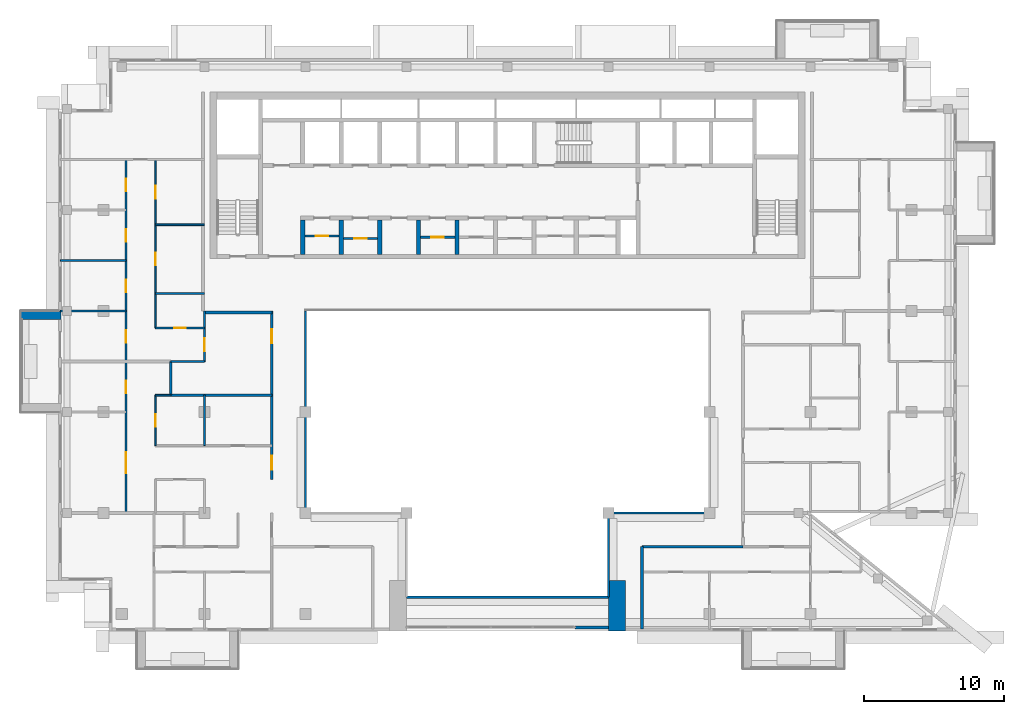
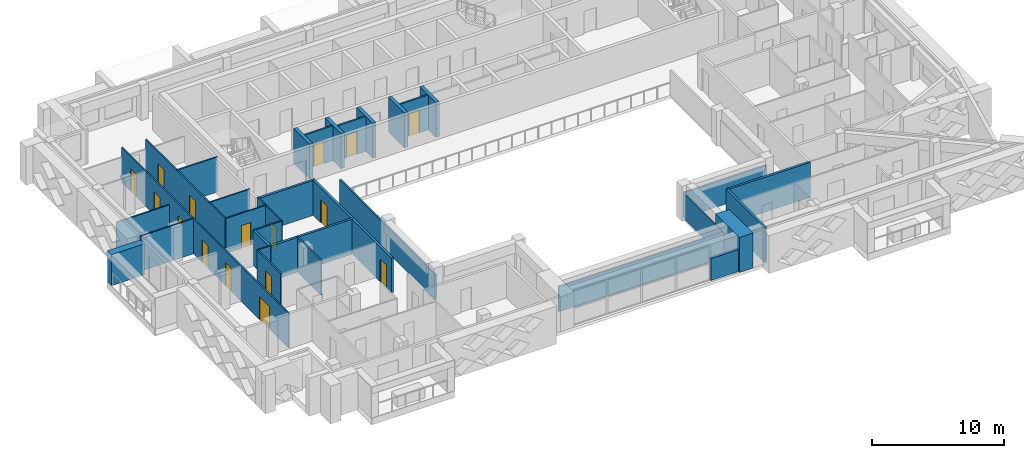
# One storey, part 7 of 19: 33 walls, 16 doors, 16 openings.
"""IFC4 building model written with IfcOpenShell, lengths in metres."""

import ifcopenshell
import ifcopenshell.guid

model = None  # the IFC model being written
_history = None  # IfcOwnerHistory: only IFC2X3 demands one
_inside = {}  # id of a spatial element -> (the spatial element, [elements in it])
_under = {}  # id of a project, library or spatial element -> (it, [spatial elements below it])
_declared = {}  # id of a project -> (the project, [libraries it declares])
_typed = {}  # id of a type object -> (the type object, [elements of that type])
_made_of = {}  # id of a material, layer set ... -> (it, [elements and type objects made of it])


def new_model(schema):
    """Start an empty IFC model of exactly this schema.

    Asked for "IFC4X3", IfcOpenShell would pick the latest addendum, in which some entities
    have other attributes; the version numbers below select the first issue.
    IFC2X3 requires an IfcOwnerHistory on every rooted entity: one is made here for all.
    """
    global model, _history
    if schema == "IFC4X3":
        model = ifcopenshell.file(schema_version=(4, 3, 0, 0))
    else:
        model = ifcopenshell.file(schema=schema)
    _inside.clear()
    _under.clear()
    _declared.clear()
    _typed.clear()
    _made_of.clear()
    _history = None
    if model.schema == "IFC2X3":
        org = make("IfcOrganization", Name="unknown")
        user = make(
            "IfcPersonAndOrganization",
            ThePerson=make("IfcPerson", FamilyName="unknown"),
            TheOrganization=org,
        )
        app = make(
            "IfcApplication",
            ApplicationDeveloper=org,
            Version="unknown",
            ApplicationFullName="unknown",
            ApplicationIdentifier="unknown",
        )
        _history = make(
            "IfcOwnerHistory",
            OwningUser=user,
            OwningApplication=app,
            ChangeAction="ADDED",
            CreationDate=0,
        )
    return model


def make(cls, **values):
    """One entity of the class cls with the attributes given. An attribute that is None is left unset."""
    return model.create_entity(
        cls, **{name: value for name, value in values.items() if value is not None}
    )


def rooted(cls, **values):
    """An entity with a GlobalId (a new one), such as an element, a storey or a relation."""
    return make(cls, GlobalId=ifcopenshell.guid.new(), OwnerHistory=_history, **values)


def si_unit(unit_type, name, prefix=None):
    """IfcSIUnit, for example si_unit("LENGTHUNIT", "METRE", prefix="MILLI")."""
    return make("IfcSIUnit", UnitType=unit_type, Prefix=prefix, Name=name)


def assignment(units):
    """IfcUnitAssignment: the units of a project."""
    return None if units is None else make("IfcUnitAssignment", Units=units)


def point(xyz):
    """IfcCartesianPoint."""
    return None if xyz is None else make("IfcCartesianPoint", Coordinates=xyz)


def direction(xyz):
    """IfcDirection."""
    return None if xyz is None else make("IfcDirection", DirectionRatios=xyz)


def frame(location, z_axis=None, x_axis=None):
    """IfcAxis2Placement3D, a coordinate frame: its origin and axes. An axis left out is left unset."""
    return make(
        "IfcAxis2Placement3D",
        Location=point(location),
        Axis=direction(z_axis),
        RefDirection=direction(x_axis),
    )


def frame_2d(location, x_axis=None):
    """IfcAxis2Placement2D, a coordinate frame in the plane: its origin and x axis."""
    return make(
        "IfcAxis2Placement2D", Location=point(location), RefDirection=direction(x_axis)
    )


def origin():
    """The frame at (0, 0, 0) with its axes left unset."""
    return frame((0.0, 0.0, 0.0))


def place(relative_to, where):
    """IfcLocalPlacement: puts the frame where relative to a parent placement (None: the world)."""
    return make(
        "IfcLocalPlacement", PlacementRelTo=relative_to, RelativePlacement=where
    )


def context(
    kind, dimensions, precision=None, world=None, true_north=None, identifier=None
):
    """IfcGeometricRepresentationContext, for example the 3D "Model" context."""
    return make(
        "IfcGeometricRepresentationContext",
        ContextIdentifier=identifier,
        ContextType=kind,
        CoordinateSpaceDimension=dimensions,
        Precision=precision,
        WorldCoordinateSystem=world,
        TrueNorth=true_north,
    )


def subcontext(parent, identifier, kind, view, scale=None):
    """IfcGeometricRepresentationSubContext, for example "Body" below "Model"."""
    return make(
        "IfcGeometricRepresentationSubContext",
        ContextIdentifier=identifier,
        ContextType=kind,
        ParentContext=parent,
        TargetScale=scale,
        TargetView=view,
    )


def project(units=None, contexts=None):
    """IfcProject with its units and contexts."""
    return rooted(
        "IfcProject",
        Name="project",
        RepresentationContexts=contexts,
        UnitsInContext=assignment(units),
    )


def spatial(cls, under=None, at=None, **own):
    """A site, building, storey or space (cls), placed at a placement, below another one or the project."""
    s = rooted(cls, ObjectPlacement=at, **own)
    if under is not None:
        _under.setdefault(under.id(), (under, []))[1].append(s)
    return s


def profile(cls, at=None, kind="AREA", **sizes):
    """A parametric profile (cls). Its sizes go by their IFC names, for example OverallWidth=200.0."""
    return make(cls, ProfileType=kind, Position=at, **sizes)


def rectangle(**sizes):
    """IfcRectangleProfileDef."""
    return profile("IfcRectangleProfileDef", **sizes)


def extrude(swept, where, along, depth):
    """IfcExtrudedAreaSolid: the profile swept, set in the frame where, extruded along a direction by depth."""
    return make(
        "IfcExtrudedAreaSolid",
        SweptArea=swept,
        Position=where,
        ExtrudedDirection=direction(along),
        Depth=depth,
    )


def shape(context_of_items, identifier, shape_type, items):
    """IfcShapeRepresentation: the items that make up one representation, for example the "Body"."""
    return make(
        "IfcShapeRepresentation",
        ContextOfItems=context_of_items,
        RepresentationIdentifier=identifier,
        RepresentationType=shape_type,
        Items=items,
    )


def material(Name=None, Category=None):
    """IfcMaterial."""
    return make("IfcMaterial", Name=Name, Category=Category)


def layer(
    of_material, thickness, ventilated=None, Name=None, Category=None, Priority=None
):
    """IfcMaterialLayer: one layer of a wall or slab, of a material (None: an air gap)."""
    return make(
        "IfcMaterialLayer",
        Material=of_material,
        LayerThickness=thickness,
        IsVentilated=ventilated,
        Name=Name,
        Category=Category,
        Priority=Priority,
    )


def layer_set(layers, Name=None):
    """IfcMaterialLayerSet."""
    return make("IfcMaterialLayerSet", MaterialLayers=layers, LayerSetName=Name)


def made_of(thing, what):
    """Note that an element or type object is made of a material, layer set ...; save() writes the relation."""
    if what is not None:
        _made_of.setdefault(what.id(), (what, []))[1].append(thing)
    return thing


def type_object(cls, material=None, **own):
    """A type object (cls), such as IfcWallType, which elements share."""
    return made_of(rooted(cls, **own), material)


def element(
    cls,
    number,
    at=None,
    inside=None,
    cuts=None,
    type_object=None,
    material=None,
    context=None,
    identifier="Body",
    shape_type=None,
    held_by="IfcProductDefinitionShape",
    body=None,
    shapes=None,
    **own,
):
    """One element of the class cls, such as IfcWall. Its Tag is "e" and its number.

    at: its placement. inside: the storey or other place that contains it. cuts: it is an
    opening in that element (IfcRelVoidsElement). A single representation is given by context,
    identifier, shape_type and body (its items); several are given by shapes. held_by: the class
    of the entity that holds the representations. save() writes the other relations.
    """
    e = rooted(cls, Tag="e%d" % number, ObjectPlacement=at, **own)
    if body is not None:
        shapes = [shape(context, identifier, shape_type, body)]
    if shapes is not None:
        e.Representation = make(held_by, Representations=shapes)
    if inside is not None:
        _inside.setdefault(inside.id(), (inside, []))[1].append(e)
    if cuts is not None:
        rooted(
            "IfcRelVoidsElement", RelatingBuildingElement=cuts, RelatedOpeningElement=e
        )
    if type_object is not None:
        _typed.setdefault(type_object.id(), (type_object, []))[1].append(e)
    return made_of(e, material)


def fill(opening, filler):
    """IfcRelFillsElement: the door or window that sits in an opening."""
    return rooted(
        "IfcRelFillsElement",
        RelatingOpeningElement=opening,
        RelatedBuildingElement=filler,
    )


def aggregate(whole, parts):
    """IfcRelAggregates: a whole, such as a stair, and the parts it consists of."""
    return rooted("IfcRelAggregates", RelatingObject=whole, RelatedObjects=parts)


def save(model, path):
    """Write the relations noted so far, then the file.

    IfcRelAggregates (storeys below a building ...), IfcRelContainedInSpatialStructure (elements
    in a storey), IfcRelDefinesByType, IfcRelAssociatesMaterial and IfcRelDeclares: one each for
    every whole, place, type object, material and project.
    """
    for whole, parts in _under.values():
        aggregate(whole, parts)
    for where, things in _inside.values():
        rooted(
            "IfcRelContainedInSpatialStructure",
            RelatedElements=things,
            RelatingStructure=where,
        )
    for kind, things in _typed.values():
        rooted("IfcRelDefinesByType", RelatedObjects=things, RelatingType=kind)
    for what, things in _made_of.values():
        rooted("IfcRelAssociatesMaterial", RelatedObjects=things, RelatingMaterial=what)
    for by, libraries in _declared.values():
        rooted("IfcRelDeclares", RelatingContext=by, RelatedDefinitions=libraries)
    model.write(path)


model = new_model("IFC4")

# Units and contexts
model_context = context("Model", 3, precision=1e-05, world=origin(), true_north=direction((0.0, 1.0)))
body_context = subcontext(model_context, "Body", "Model", "MODEL_VIEW")
ifc_project = project(units=[si_unit("LENGTHUNIT", "METRE"), si_unit("AREAUNIT", "SQUARE_METRE"), si_unit("VOLUMEUNIT", "CUBIC_METRE"), si_unit("PLANEANGLEUNIT", "RADIAN"), si_unit("MASSUNIT", "GRAM", prefix="KILO")], contexts=[model_context])

# Site, building, storey
site_placement = place(None, origin())
site = spatial("IfcSite", under=ifc_project, at=site_placement, CompositionType="ELEMENT")
building_placement = place(site_placement, origin())
building = spatial("IfcBuilding", under=site, at=building_placement, Name="Saffron Iwan Residences", CompositionType="ELEMENT")
storey_placement = place(building_placement, frame((0.0, 0.0, 236.0)))
storey = spatial("IfcBuildingStorey", under=building, at=storey_placement, Name="L63", CompositionType="ELEMENT", Elevation=236.0)

# Walls
ifc_material_1 = material(Name="Fire-rated glazing", Category="glass")
ifc_layer_1 = layer(ifc_material_1, 0.14990234375)
ifc_layer_set_1 = layer_set([ifc_layer_1], Name="Fire-rated glazing")
wall_type_1 = type_object("IfcWallType", Name="Atrium glazed screen 150", PredefinedType="SOLIDWALL", material=ifc_layer_set_1)
wall_1_placement = place(storey_placement, frame((43.199951171875, 42.0, 0.0), z_axis=(0.0, 0.0, 1.0), x_axis=(1.0, 0.0, 0.0)))
element("IfcWall", 1, at=wall_1_placement, inside=storey, type_object=wall_type_1, Name="W-L63-SCREEN-h42-43.2", PredefinedType="SOLIDWALL", context=body_context, shape_type="SweptSolid", body=[
    extrude(rectangle(XDim=14.400146484375, YDim=0.14990234375, at=frame_2d((7.2001953125, 0.0))), origin(), (0.0, 0.0, 1.0), 2.320068359375),
])
wall_2_placement = place(storey_placement, frame((57.60009765625, 48.0, 0.0), z_axis=(0.0, 0.0, 1.0), x_axis=(1.0, 0.0, 0.0)))
element("IfcWall", 2, at=wall_2_placement, inside=storey, type_object=wall_type_1, Name="W-L63-SCREEN-h48-57.6", PredefinedType="SOLIDWALL", context=body_context, shape_type="SweptSolid", body=[
    extrude(rectangle(XDim=7.199951171875, YDim=0.14990234375, at=frame_2d((3.60009765625, 0.0))), origin(), (0.0, 0.0, 1.0), 2.320068359375),
])
wall_3_placement = place(storey_placement, frame((36.0, 48.0, 0.0), z_axis=(0.0, 0.0, 1.0), x_axis=(0.0, 1.0, 0.0)))
element("IfcWall", 3, at=wall_3_placement, inside=storey, type_object=wall_type_1, Name="W-L63-SCREEN-v36-48", PredefinedType="SOLIDWALL", context=body_context, shape_type="SweptSolid", body=[
    extrude(rectangle(XDim=14.39990234375, YDim=0.14990234375, at=frame_2d((7.199951171875, 0.0))), origin(), (0.0, 0.0, 1.0), 2.320068359375),
])
wall_4_placement = place(storey_placement, frame((57.60009765625, 42.0, 0.0), z_axis=(0.0, 0.0, 1.0), x_axis=(0.0, 1.0, 0.0)))
element("IfcWall", 4, at=wall_4_placement, inside=storey, type_object=wall_type_1, Name="W-L63-SCREEN-v57.6-42", PredefinedType="SOLIDWALL", context=body_context, shape_type="SweptSolid", body=[
    extrude(rectangle(XDim=6.0, YDim=0.14990234375, at=frame_2d((3.0, 0.0))), origin(), (0.0, 0.0, 1.0), 2.320068359375),
])
ifc_material_2 = material(Name="Concrete C50/60 white painted", Category="concrete")
ifc_layer_2 = layer(ifc_material_2, 0.60009765625)
ifc_layer_set_2 = layer_set([ifc_layer_2], Name="Concrete C50/60 white painted")
wall_type_2 = type_object("IfcWallType", Name="BALCONY FIN 600", PredefinedType="SOLIDWALL", material=ifc_layer_set_2)
wall_5_placement = place(storey_placement, frame((18.574951171875, 62.10009765625, 0.0), z_axis=(0.0, 0.0, 1.0), x_axis=(-1.0, 0.0, 0.0)))
element("IfcWall", 5, at=wall_5_placement, inside=storey, type_object=wall_type_2, Name="Balcony fin L63 F8-0a", PredefinedType="SOLIDWALL", context=body_context, shape_type="SweptSolid", body=[
    extrude(rectangle(XDim=2.875, YDim=0.60009765625, at=frame_2d((1.4375, 0.0))), origin(), (0.0, 0.0, 1.0), 2.85009765625),
])

# Wall, opening, door
ifc_material_3 = material(Name="Fire-rated plasterboard partition")
ifc_layer_3 = layer(ifc_material_3, 0.14990234375)
ifc_layer_set_3 = layer_set([ifc_layer_3], Name="Fire-rated plasterboard partition")
wall_type_3 = type_object("IfcWallType", Name="Core partition 150", PredefinedType="PARTITIONING", material=ifc_layer_set_3)
wall_6_placement = place(storey_placement, frame((35.949951171875, 67.759521484375, 0.0), z_axis=(0.0, 0.0, 1.0), x_axis=(1.0, 0.0, 0.0)))
wall_6 = element("IfcWall", 6, at=wall_6_placement, inside=storey, type_object=wall_type_3, Name="Core partition P01", PredefinedType="PARTITIONING", context=body_context, shape_type="SweptSolid", body=[
    extrude(rectangle(XDim=2.449951171875, YDim=0.14990234375, at=frame_2d((1.22509765625, 0.0))), origin(), (0.0, 0.0, 1.0), 3.219970703125),
])
opening_1_placement = place(wall_6_placement, frame((0.77490234375, 0.0, 0.0)))
opening_1 = element("IfcOpeningElement", 7, at=opening_1_placement, cuts=wall_6, Name="Opening SB", PredefinedType="OPENING", context=body_context, shape_type="SweptSolid", body=[
    extrude(rectangle(XDim=0.89990234375, YDim=2.10009765625, at=frame_2d((0.449951171875, 1.050048828125))), frame((0.0, 0.0849609375, 0.0), z_axis=(0.0, -1.0, 0.0), x_axis=(1.0, 0.0, 0.0)), (0.0, 0.0, 1.0), 0.169921875),
])
ifc_material_4 = material(Name="Steel fire door", Category="steel")
door_type_1 = type_object("IfcDoorType", Name="Store door 900", OperationType="NOTDEFINED", PredefinedType="DOOR", material=ifc_material_4)
door_1_placement = place(opening_1_placement, origin())
door_1 = element("IfcDoor", 8, at=door_1_placement, inside=storey, type_object=door_type_1, Name="Door Stationery store", OperationType="SINGLE_SWING_LEFT", OverallHeight=2.10009765625, OverallWidth=0.89990234375, PredefinedType="DOOR", context=body_context, shape_type="SweptSolid", body=[
    extrude(rectangle(XDim=0.89990234375, YDim=2.10009765625, at=frame_2d((0.449951171875, 1.050048828125))), frame((0.0, 0.02490234375, 0.0), z_axis=(0.0, -1.0, 0.0), x_axis=(1.0, 0.0, 0.0)), (0.0, 0.0, 1.0), 0.050048828125),
])
fill(opening_1, door_1)

wall_7_placement = place(storey_placement, frame((38.699951171875, 67.5654296875, 0.0), z_axis=(0.0, 0.0, 1.0), x_axis=(1.0, 0.0, 0.0)))
wall_7 = element("IfcWall", 9, at=wall_7_placement, inside=storey, type_object=wall_type_3, Name="Core partition P02", PredefinedType="PARTITIONING", context=body_context, shape_type="SweptSolid", body=[
    extrude(rectangle(XDim=2.449951171875, YDim=0.14990234375, at=frame_2d((1.22509765625, 0.0))), origin(), (0.0, 0.0, 1.0), 3.219970703125),
])
opening_2_placement = place(wall_7_placement, frame((0.77490234375, 0.0, 0.0)))
opening_2 = element("IfcOpeningElement", 10, at=opening_2_placement, cuts=wall_7, Name="Opening SB", PredefinedType="OPENING", context=body_context, shape_type="SweptSolid", body=[
    extrude(rectangle(XDim=0.89990234375, YDim=2.10009765625, at=frame_2d((0.449951171875, 1.050048828125))), frame((0.0, 0.0849609375, 0.0), z_axis=(0.0, -1.0, 0.0), x_axis=(1.0, 0.0, 0.0)), (0.0, 0.0, 1.0), 0.169921875),
])
door_2_placement = place(opening_2_placement, origin())
door_2 = element("IfcDoor", 11, at=door_2_placement, inside=storey, type_object=door_type_1, Name="Door Tool store", OperationType="SINGLE_SWING_LEFT", OverallHeight=2.10009765625, OverallWidth=0.89990234375, PredefinedType="DOOR", context=body_context, shape_type="SweptSolid", body=[
    extrude(rectangle(XDim=0.89990234375, YDim=2.10009765625, at=frame_2d((0.449951171875, 1.050048828125))), frame((0.0, 0.02490234375, 0.0), z_axis=(0.0, -1.0, 0.0), x_axis=(1.0, 0.0, 0.0)), (0.0, 0.0, 1.0), 0.050048828125),
])
fill(opening_2, door_2)

wall_8_placement = place(storey_placement, frame((44.199951171875, 67.66259765625, 0.0), z_axis=(0.0, 0.0, 1.0), x_axis=(1.0, 0.0, 0.0)))
wall_8 = element("IfcWall", 12, at=wall_8_placement, inside=storey, type_object=wall_type_3, Name="Core partition P03", PredefinedType="PARTITIONING", context=body_context, shape_type="SweptSolid", body=[
    extrude(rectangle(XDim=2.449951171875, YDim=0.14990234375, at=frame_2d((1.22509765625, 0.0))), origin(), (0.0, 0.0, 1.0), 3.219970703125),
])
opening_3_placement = place(wall_8_placement, frame((0.77490234375, 0.0, 0.0)))
opening_3 = element("IfcOpeningElement", 13, at=opening_3_placement, cuts=wall_8, Name="Opening SB", PredefinedType="OPENING", context=body_context, shape_type="SweptSolid", body=[
    extrude(rectangle(XDim=0.89990234375, YDim=2.10009765625, at=frame_2d((0.449951171875, 1.050048828125))), frame((0.0, 0.0849609375, 0.0), z_axis=(0.0, -1.0, 0.0), x_axis=(1.0, 0.0, 0.0)), (0.0, 0.0, 1.0), 0.169921875),
])
door_3_placement = place(opening_3_placement, origin())
door_3 = element("IfcDoor", 14, at=door_3_placement, inside=storey, type_object=door_type_1, Name="Door Equipment store", OperationType="SINGLE_SWING_LEFT", OverallHeight=2.10009765625, OverallWidth=0.89990234375, PredefinedType="DOOR", context=body_context, shape_type="SweptSolid", body=[
    extrude(rectangle(XDim=0.89990234375, YDim=2.10009765625, at=frame_2d((0.449951171875, 1.050048828125))), frame((0.0, 0.02490234375, 0.0), z_axis=(0.0, -1.0, 0.0), x_axis=(1.0, 0.0, 0.0)), (0.0, 0.0, 1.0), 0.050048828125),
])
fill(opening_3, door_3)

# Walls
ifc_material_5 = material(Name="Concrete C40/50", Category="concrete")
ifc_layer_4 = layer(ifc_material_5, 0.199951171875)
ifc_layer_set_4 = layer_set([ifc_layer_4], Name="Concrete C40/50")
wall_type_4 = type_object("IfcWallType", Name="EXTERNAL WALL 200", PredefinedType="SOLIDWALL", material=ifc_layer_set_4)
wall_9_placement = place(storey_placement, frame((55.199951171875, 39.85009765625, 0.0), z_axis=(0.0, 0.0, 1.0), x_axis=(1.0, 0.0, 0.0)))
element("IfcWall", 15, at=wall_9_placement, inside=storey, type_object=wall_type_4, Name="External wall infill CWB-L63-0", PredefinedType="SOLIDWALL", context=body_context, shape_type="SweptSolid", body=[
    extrude(rectangle(XDim=2.400146484375, YDim=0.199951171875, at=frame_2d((1.2001953125, 0.0))), origin(), (0.0, 0.0, 1.0), 2.02001953125),
])
ifc_material_6 = material(Name="Fire-rated gypsum board wall")
ifc_layer_5 = layer(ifc_material_6, 0.199951171875)
ifc_layer_set_5 = layer_set([ifc_layer_5], Name="Fire-rated gypsum board wall")
wall_type_5 = type_object("IfcWallType", Name="Flat demising wall 200", PredefinedType="SOLIDWALL", material=ifc_layer_set_5)
wall_10_placement = place(storey_placement, frame((26.39990234375, 56.39990234375, 0.0), z_axis=(0.0, 0.0, 1.0), x_axis=(1.0, 0.0, 0.0)))
element("IfcWall", 16, at=wall_10_placement, inside=storey, type_object=wall_type_5, Name="W-L63-DEMISE-h56.4-26.4", PredefinedType="SOLIDWALL", context=body_context, shape_type="SweptSolid", body=[
    extrude(rectangle(XDim=7.2001953125, YDim=0.199951171875, at=frame_2d((3.60009765625, 0.0))), origin(), (0.0, 0.0, 1.0), 3.219970703125),
])
wall_11_placement = place(storey_placement, frame((26.39990234375, 56.39990234375, 0.0), z_axis=(0.0, 0.0, 1.0), x_axis=(0.0, 1.0, 0.0)))
element("IfcWall", 17, at=wall_11_placement, inside=storey, type_object=wall_type_5, Name="W-L63-DEMISE-v26.4-56.4", PredefinedType="SOLIDWALL", context=body_context, shape_type="SweptSolid", body=[
    extrude(rectangle(XDim=2.400146484375, YDim=0.199951171875, at=frame_2d((1.2001953125, 0.0))), origin(), (0.0, 0.0, 1.0), 3.219970703125),
])
ifc_material_7 = material(Name="Gypsum board partition")
ifc_layer_6 = layer(ifc_material_7, 0.1201171875)
ifc_layer_set_6 = layer_set([ifc_layer_6], Name="Gypsum board partition")
wall_type_6 = type_object("IfcWallType", Name="Flat partition 120", PredefinedType="PARTITIONING", material=ifc_layer_set_6)
wall_12_placement = place(storey_placement, frame((25.300048828125, 56.39990234375, 0.0), z_axis=(0.0, 0.0, 1.0), x_axis=(1.0, 0.0, 0.0)))
element("IfcWall", 18, at=wall_12_placement, inside=storey, type_object=wall_type_6, Name="W-L63-PART-h56.4-25.3", PredefinedType="PARTITIONING", context=body_context, shape_type="SweptSolid", body=[
    extrude(rectangle(XDim=1.099853515625, YDim=0.1201171875, at=frame_2d((0.5498046875, 0.0))), origin(), (0.0, 0.0, 1.0), 3.219970703125),
])
wall_13_placement = place(storey_placement, frame((26.39990234375, 58.800048828125, 0.0), z_axis=(0.0, 0.0, 1.0), x_axis=(1.0, 0.0, 0.0)))
element("IfcWall", 19, at=wall_13_placement, inside=storey, type_object=wall_type_6, Name="W-L63-PART-h58.8-26.4", PredefinedType="PARTITIONING", context=body_context, shape_type="SweptSolid", body=[
    extrude(rectangle(XDim=2.400146484375, YDim=0.1201171875, at=frame_2d((1.2001953125, 0.0))), origin(), (0.0, 0.0, 1.0), 3.219970703125),
])

# Wall, opening, door
wall_14_placement = place(storey_placement, frame((25.300048828125, 61.199951171875, 0.0), z_axis=(0.0, 0.0, 1.0), x_axis=(1.0, 0.0, 0.0)))
wall_14 = element("IfcWall", 20, at=wall_14_placement, inside=storey, type_object=wall_type_6, Name="W-L63-PART-h61.2-25.3", PredefinedType="PARTITIONING", context=body_context, shape_type="SweptSolid", body=[
    extrude(rectangle(XDim=3.5, YDim=0.1201171875, at=frame_2d((1.75, 0.0))), origin(), (0.0, 0.0, 1.0), 3.219970703125),
])
opening_4_placement = place(wall_14_placement, frame((1.35009765625, 0.0, 0.0)))
opening_4 = element("IfcOpeningElement", 21, at=opening_4_placement, cuts=wall_14, Name="Opening FD3", PredefinedType="OPENING", context=body_context, shape_type="SweptSolid", body=[
    extrude(rectangle(XDim=0.800048828125, YDim=2.10009765625, at=frame_2d((0.39990234375, 1.050048828125))), frame((0.0, 0.070068359375, 0.0), z_axis=(0.0, -1.0, 0.0), x_axis=(1.0, 0.0, 0.0)), (0.0, 0.0, 1.0), 0.14013671875),
])
ifc_material_8 = material(Name="Timber door", Category="wood")
door_type_2 = type_object("IfcDoorType", Name="Bathroom door 800", OperationType="NOTDEFINED", PredefinedType="DOOR", material=ifc_material_8)
door_4_placement = place(opening_4_placement, origin())
door_4 = element("IfcDoor", 22, at=door_4_placement, inside=storey, type_object=door_type_2, Name="Door L63-030", OperationType="SINGLE_SWING_LEFT", OverallHeight=2.10009765625, OverallWidth=0.800048828125, PredefinedType="DOOR", context=body_context, shape_type="SweptSolid", body=[
    extrude(rectangle(XDim=0.800048828125, YDim=2.10009765625, at=frame_2d((0.39990234375, 1.050048828125))), frame((0.0, 0.02490234375, 0.0), z_axis=(0.0, -1.0, 0.0), x_axis=(1.0, 0.0, 0.0)), (0.0, 0.0, 1.0), 0.050048828125),
])
fill(opening_4, door_4)

# Walls
wall_15_placement = place(storey_placement, frame((18.52490234375, 62.39990234375, 0.0), z_axis=(0.0, 0.0, 1.0), x_axis=(1.0, 0.0, 0.0)))
element("IfcWall", 23, at=wall_15_placement, inside=storey, type_object=wall_type_6, Name="W-L63-PART-h62.4-18.525", PredefinedType="PARTITIONING", context=body_context, shape_type="SweptSolid", body=[
    extrude(rectangle(XDim=4.675048828125, YDim=0.1201171875, at=frame_2d((2.33740234375, 0.0))), origin(), (0.0, 0.0, 1.0), 3.219970703125),
])
wall_16_placement = place(storey_placement, frame((25.300048828125, 63.64990234375, 0.0), z_axis=(0.0, 0.0, 1.0), x_axis=(1.0, 0.0, 0.0)))
element("IfcWall", 24, at=wall_16_placement, inside=storey, type_object=wall_type_6, Name="W-L63-PART-h63.65-25.3", PredefinedType="PARTITIONING", context=body_context, shape_type="SweptSolid", body=[
    extrude(rectangle(XDim=3.5, YDim=0.1201171875, at=frame_2d((1.75, 0.0))), origin(), (0.0, 0.0, 1.0), 3.219970703125),
])
wall_17_placement = place(storey_placement, frame((18.52490234375, 66.0, 0.0), z_axis=(0.0, 0.0, 1.0), x_axis=(1.0, 0.0, 0.0)))
element("IfcWall", 25, at=wall_17_placement, inside=storey, type_object=wall_type_6, Name="W-L63-PART-h66-18.525", PredefinedType="PARTITIONING", context=body_context, shape_type="SweptSolid", body=[
    extrude(rectangle(XDim=4.675048828125, YDim=0.1201171875, at=frame_2d((2.33740234375, 0.0))), origin(), (0.0, 0.0, 1.0), 2.320068359375),
])
wall_18_placement = place(storey_placement, frame((25.300048828125, 68.550048828125, 0.0), z_axis=(0.0, 0.0, 1.0), x_axis=(1.0, 0.0, 0.0)))
element("IfcWall", 26, at=wall_18_placement, inside=storey, type_object=wall_type_6, Name="W-L63-PART-h68.55-25.3", PredefinedType="PARTITIONING", context=body_context, shape_type="SweptSolid", body=[
    extrude(rectangle(XDim=3.5, YDim=0.1201171875, at=frame_2d((1.75, 0.0))), origin(), (0.0, 0.0, 1.0), 3.219970703125),
])

# Wall, openings, doors
wall_19_placement = place(storey_placement, frame((23.199951171875, 48.0, 0.0), z_axis=(0.0, 0.0, 1.0), x_axis=(0.0, 1.0, 0.0)))
wall_19 = element("IfcWall", 27, at=wall_19_placement, inside=storey, type_object=wall_type_6, Name="W-L63-PART-v23.2-48", PredefinedType="PARTITIONING", context=body_context, shape_type="SweptSolid", body=[
    extrude(rectangle(XDim=25.199951171875, YDim=0.1201171875, at=frame_2d((12.60009765625, 0.0))), origin(), (0.0, 0.0, 1.0), 3.219970703125),
])
opening_5_placement = place(wall_19_placement, frame((2.85009765625, 0.0, 0.0)))
opening_5 = element("IfcOpeningElement", 28, at=opening_5_placement, cuts=wall_19, Name="Opening FD4", PredefinedType="OPENING", context=body_context, shape_type="SweptSolid", body=[
    extrude(rectangle(XDim=1.5, YDim=2.10009765625, at=frame_2d((0.75, 1.050048828125))), frame((0.0, 0.070068359375, 0.0), z_axis=(0.0, -1.0, 0.0), x_axis=(1.0, 0.0, 0.0)), (0.0, 0.0, 1.0), 0.14013671875),
])
opening_6_placement = place(wall_19_placement, frame((8.550048828125, 0.0, 0.0)))
opening_6 = element("IfcOpeningElement", 29, at=opening_6_placement, cuts=wall_19, Name="Opening FD2", PredefinedType="OPENING", context=body_context, shape_type="SweptSolid", body=[
    extrude(rectangle(XDim=0.89990234375, YDim=2.10009765625, at=frame_2d((0.449951171875, 1.050048828125))), frame((0.0, 0.070068359375, 0.0), z_axis=(0.0, -1.0, 0.0), x_axis=(1.0, 0.0, 0.0)), (0.0, 0.0, 1.0), 0.14013671875),
])
opening_7_placement = place(wall_19_placement, frame((12.14990234375, 0.0, 0.0)))
opening_7 = element("IfcOpeningElement", 30, at=opening_7_placement, cuts=wall_19, Name="Opening FD2", PredefinedType="OPENING", context=body_context, shape_type="SweptSolid", body=[
    extrude(rectangle(XDim=0.89990234375, YDim=2.10009765625, at=frame_2d((0.449951171875, 1.050048828125))), frame((0.0, 0.070068359375, 0.0), z_axis=(0.0, -1.0, 0.0), x_axis=(1.0, 0.0, 0.0)), (0.0, 0.0, 1.0), 0.14013671875),
])
opening_8_placement = place(wall_19_placement, frame((15.75, 0.0, 0.0)))
opening_8 = element("IfcOpeningElement", 31, at=opening_8_placement, cuts=wall_19, Name="Opening FD2", PredefinedType="OPENING", context=body_context, shape_type="SweptSolid", body=[
    extrude(rectangle(XDim=0.89990234375, YDim=2.10009765625, at=frame_2d((0.449951171875, 1.050048828125))), frame((0.0, 0.070068359375, 0.0), z_axis=(0.0, -1.0, 0.0), x_axis=(1.0, 0.0, 0.0)), (0.0, 0.0, 1.0), 0.14013671875),
])
opening_9_placement = place(wall_19_placement, frame((19.35009765625, 0.0, 0.0)))
opening_9 = element("IfcOpeningElement", 32, at=opening_9_placement, cuts=wall_19, Name="Opening FD2", PredefinedType="OPENING", context=body_context, shape_type="SweptSolid", body=[
    extrude(rectangle(XDim=0.89990234375, YDim=2.10009765625, at=frame_2d((0.449951171875, 1.050048828125))), frame((0.0, 0.070068359375, 0.0), z_axis=(0.0, -1.0, 0.0), x_axis=(1.0, 0.0, 0.0)), (0.0, 0.0, 1.0), 0.14013671875),
])
opening_10_placement = place(wall_19_placement, frame((22.949951171875, 0.0, 0.0)))
opening_10 = element("IfcOpeningElement", 33, at=opening_10_placement, cuts=wall_19, Name="Opening FD2", PredefinedType="OPENING", context=body_context, shape_type="SweptSolid", body=[
    extrude(rectangle(XDim=0.89990234375, YDim=2.10009765625, at=frame_2d((0.449951171875, 1.050048828125))), frame((0.0, 0.070068359375, 0.0), z_axis=(0.0, -1.0, 0.0), x_axis=(1.0, 0.0, 0.0)), (0.0, 0.0, 1.0), 0.14013671875),
])
door_type_3 = type_object("IfcDoorType", Name="Double door 1500", OperationType="NOTDEFINED", PredefinedType="DOOR", material=ifc_material_8)
door_5_placement = place(opening_5_placement, origin())
door_5 = element("IfcDoor", 34, at=door_5_placement, inside=storey, type_object=door_type_3, Name="Door L63-009", OperationType="SINGLE_SWING_LEFT", OverallHeight=2.10009765625, OverallWidth=1.5, PredefinedType="DOOR", context=body_context, shape_type="SweptSolid", body=[
    extrude(rectangle(XDim=1.5, YDim=2.10009765625, at=frame_2d((0.75, 1.050048828125))), frame((0.0, 0.02490234375, 0.0), z_axis=(0.0, -1.0, 0.0), x_axis=(1.0, 0.0, 0.0)), (0.0, 0.0, 1.0), 0.050048828125),
])
fill(opening_5, door_5)
door_type_4 = type_object("IfcDoorType", Name="Flat door 900", OperationType="NOTDEFINED", PredefinedType="DOOR", material=ifc_material_8)
door_6_placement = place(opening_6_placement, origin())
door_6 = element("IfcDoor", 35, at=door_6_placement, inside=storey, type_object=door_type_4, Name="Door L63-010", OperationType="SINGLE_SWING_RIGHT", OverallHeight=2.10009765625, OverallWidth=0.89990234375, PredefinedType="DOOR", context=body_context, shape_type="SweptSolid", body=[
    extrude(rectangle(XDim=0.89990234375, YDim=2.10009765625, at=frame_2d((0.449951171875, 1.050048828125))), frame((0.0, 0.02490234375, 0.0), z_axis=(0.0, -1.0, 0.0), x_axis=(1.0, 0.0, 0.0)), (0.0, 0.0, 1.0), 0.050048828125),
])
fill(opening_6, door_6)
door_7_placement = place(opening_7_placement, origin())
door_7 = element("IfcDoor", 36, at=door_7_placement, inside=storey, type_object=door_type_4, Name="Door L63-025", OperationType="SINGLE_SWING_RIGHT", OverallHeight=2.10009765625, OverallWidth=0.89990234375, PredefinedType="DOOR", context=body_context, shape_type="SweptSolid", body=[
    extrude(rectangle(XDim=0.89990234375, YDim=2.10009765625, at=frame_2d((0.449951171875, 1.050048828125))), frame((0.0, 0.02490234375, 0.0), z_axis=(0.0, -1.0, 0.0), x_axis=(1.0, 0.0, 0.0)), (0.0, 0.0, 1.0), 0.050048828125),
])
fill(opening_7, door_7)
door_8_placement = place(opening_8_placement, origin())
door_8 = element("IfcDoor", 37, at=door_8_placement, inside=storey, type_object=door_type_4, Name="Door L63-026", OperationType="SINGLE_SWING_LEFT", OverallHeight=2.10009765625, OverallWidth=0.89990234375, PredefinedType="DOOR", context=body_context, shape_type="SweptSolid", body=[
    extrude(rectangle(XDim=0.89990234375, YDim=2.10009765625, at=frame_2d((0.449951171875, 1.050048828125))), frame((0.0, 0.02490234375, 0.0), z_axis=(0.0, -1.0, 0.0), x_axis=(1.0, 0.0, 0.0)), (0.0, 0.0, 1.0), 0.050048828125),
])
fill(opening_8, door_8)
door_9_placement = place(opening_9_placement, origin())
door_9 = element("IfcDoor", 38, at=door_9_placement, inside=storey, type_object=door_type_4, Name="Door L63-027", OperationType="SINGLE_SWING_LEFT", OverallHeight=2.10009765625, OverallWidth=0.89990234375, PredefinedType="DOOR", context=body_context, shape_type="SweptSolid", body=[
    extrude(rectangle(XDim=0.89990234375, YDim=2.10009765625, at=frame_2d((0.449951171875, 1.050048828125))), frame((0.0, 0.02490234375, 0.0), z_axis=(0.0, -1.0, 0.0), x_axis=(1.0, 0.0, 0.0)), (0.0, 0.0, 1.0), 0.050048828125),
])
fill(opening_9, door_9)
door_10_placement = place(opening_10_placement, origin())
door_10 = element("IfcDoor", 39, at=door_10_placement, inside=storey, type_object=door_type_4, Name="Door L63-028", OperationType="SINGLE_SWING_RIGHT", OverallHeight=2.10009765625, OverallWidth=0.89990234375, PredefinedType="DOOR", context=body_context, shape_type="SweptSolid", body=[
    extrude(rectangle(XDim=0.89990234375, YDim=2.10009765625, at=frame_2d((0.449951171875, 1.050048828125))), frame((0.0, 0.02490234375, 0.0), z_axis=(0.0, -1.0, 0.0), x_axis=(1.0, 0.0, 0.0)), (0.0, 0.0, 1.0), 0.050048828125),
])
fill(opening_10, door_10)

# Wall, opening, door
wall_20_placement = place(storey_placement, frame((25.300048828125, 52.800048828125, 0.0), z_axis=(0.0, 0.0, 1.0), x_axis=(0.0, 1.0, 0.0)))
wall_20 = element("IfcWall", 40, at=wall_20_placement, inside=storey, type_object=wall_type_6, Name="W-L63-PART-v25.3-52.8", PredefinedType="PARTITIONING", context=body_context, shape_type="SweptSolid", body=[
    extrude(rectangle(XDim=3.599853515625, YDim=0.1201171875, at=frame_2d((1.7998046875, 0.0))), origin(), (0.0, 0.0, 1.0), 3.219970703125),
])
opening_11_placement = place(wall_20_placement, frame((1.35009765625, 0.0, 0.0)))
opening_11 = element("IfcOpeningElement", 41, at=opening_11_placement, cuts=wall_20, Name="Opening FD2", PredefinedType="OPENING", context=body_context, shape_type="SweptSolid", body=[
    extrude(rectangle(XDim=0.89990234375, YDim=2.10009765625, at=frame_2d((0.449951171875, 1.050048828125))), frame((0.0, 0.070068359375, 0.0), z_axis=(0.0, -1.0, 0.0), x_axis=(1.0, 0.0, 0.0)), (0.0, 0.0, 1.0), 0.14013671875),
])
door_11_placement = place(opening_11_placement, origin())
door_11 = element("IfcDoor", 42, at=door_11_placement, inside=storey, type_object=door_type_4, Name="Door L63-012", OperationType="SINGLE_SWING_LEFT", OverallHeight=2.10009765625, OverallWidth=0.89990234375, PredefinedType="DOOR", context=body_context, shape_type="SweptSolid", body=[
    extrude(rectangle(XDim=0.89990234375, YDim=2.10009765625, at=frame_2d((0.449951171875, 1.050048828125))), frame((0.0, 0.02490234375, 0.0), z_axis=(0.0, -1.0, 0.0), x_axis=(1.0, 0.0, 0.0)), (0.0, 0.0, 1.0), 0.050048828125),
])
fill(opening_11, door_11)

# Wall, openings, doors
wall_21_placement = place(storey_placement, frame((25.300048828125, 61.199951171875, 0.0), z_axis=(0.0, 0.0, 1.0), x_axis=(0.0, 1.0, 0.0)))
wall_21 = element("IfcWall", 43, at=wall_21_placement, inside=storey, type_object=wall_type_6, Name="W-L63-PART-v25.3-61.2", PredefinedType="PARTITIONING", context=body_context, shape_type="SweptSolid", body=[
    extrude(rectangle(XDim=12.0, YDim=0.1201171875, at=frame_2d((6.0, 0.0))), origin(), (0.0, 0.0, 1.0), 3.219970703125),
])
opening_12_placement = place(wall_21_placement, frame((4.449951171875, 0.0, 0.0)))
opening_12 = element("IfcOpeningElement", 44, at=opening_12_placement, cuts=wall_21, Name="Opening FD2", PredefinedType="OPENING", context=body_context, shape_type="SweptSolid", body=[
    extrude(rectangle(XDim=0.89990234375, YDim=2.10009765625, at=frame_2d((0.449951171875, 1.050048828125))), frame((0.0, 0.070068359375, 0.0), z_axis=(0.0, -1.0, 0.0), x_axis=(1.0, 0.0, 0.0)), (0.0, 0.0, 1.0), 0.14013671875),
])
opening_13_placement = place(wall_21_placement, frame((9.22509765625, 0.0, 0.0)))
opening_13 = element("IfcOpeningElement", 45, at=opening_13_placement, cuts=wall_21, Name="Opening FD2", PredefinedType="OPENING", context=body_context, shape_type="SweptSolid", body=[
    extrude(rectangle(XDim=0.89990234375, YDim=2.10009765625, at=frame_2d((0.449951171875, 1.050048828125))), frame((0.0, 0.070068359375, 0.0), z_axis=(0.0, -1.0, 0.0), x_axis=(1.0, 0.0, 0.0)), (0.0, 0.0, 1.0), 0.14013671875),
])
door_12_placement = place(opening_12_placement, origin())
door_12 = element("IfcDoor", 46, at=door_12_placement, inside=storey, type_object=door_type_4, Name="Door L63-031", OperationType="SINGLE_SWING_RIGHT", OverallHeight=2.10009765625, OverallWidth=0.89990234375, PredefinedType="DOOR", context=body_context, shape_type="SweptSolid", body=[
    extrude(rectangle(XDim=0.89990234375, YDim=2.10009765625, at=frame_2d((0.449951171875, 1.050048828125))), frame((0.0, 0.02490234375, 0.0), z_axis=(0.0, -1.0, 0.0), x_axis=(1.0, 0.0, 0.0)), (0.0, 0.0, 1.0), 0.050048828125),
])
fill(opening_12, door_12)
door_13_placement = place(opening_13_placement, origin())
door_13 = element("IfcDoor", 47, at=door_13_placement, inside=storey, type_object=door_type_4, Name="Door L63-032", OperationType="SINGLE_SWING_LEFT", OverallHeight=2.10009765625, OverallWidth=0.89990234375, PredefinedType="DOOR", context=body_context, shape_type="SweptSolid", body=[
    extrude(rectangle(XDim=0.89990234375, YDim=2.10009765625, at=frame_2d((0.449951171875, 1.050048828125))), frame((0.0, 0.02490234375, 0.0), z_axis=(0.0, -1.0, 0.0), x_axis=(1.0, 0.0, 0.0)), (0.0, 0.0, 1.0), 0.050048828125),
])
fill(opening_13, door_13)

# Wall
wall_22_placement = place(storey_placement, frame((28.800048828125, 52.800048828125, 0.0), z_axis=(0.0, 0.0, 1.0), x_axis=(0.0, 1.0, 0.0)))
element("IfcWall", 48, at=wall_22_placement, inside=storey, type_object=wall_type_6, Name="W-L63-PART-v28.8-52.8", PredefinedType="PARTITIONING", context=body_context, shape_type="SweptSolid", body=[
    extrude(rectangle(XDim=3.599853515625, YDim=0.1201171875, at=frame_2d((1.7998046875, 0.0))), origin(), (0.0, 0.0, 1.0), 3.219970703125),
])

# Wall, opening, door
wall_23_placement = place(storey_placement, frame((28.800048828125, 58.800048828125, 0.0), z_axis=(0.0, 0.0, 1.0), x_axis=(0.0, 1.0, 0.0)))
wall_23 = element("IfcWall", 49, at=wall_23_placement, inside=storey, type_object=wall_type_6, Name="W-L63-PART-v28.8-58.8", PredefinedType="PARTITIONING", context=body_context, shape_type="SweptSolid", body=[
    extrude(rectangle(XDim=3.599853515625, YDim=0.1201171875, at=frame_2d((1.7998046875, 0.0))), origin(), (0.0, 0.0, 1.0), 3.219970703125),
])
opening_14_placement = place(wall_23_placement, frame((0.75, 0.0, 0.0)))
opening_14 = element("IfcOpeningElement", 50, at=opening_14_placement, cuts=wall_23, Name="Opening FD2", PredefinedType="OPENING", context=body_context, shape_type="SweptSolid", body=[
    extrude(rectangle(XDim=0.89990234375, YDim=2.10009765625, at=frame_2d((0.449951171875, 1.050048828125))), frame((0.0, 0.070068359375, 0.0), z_axis=(0.0, -1.0, 0.0), x_axis=(1.0, 0.0, 0.0)), (0.0, 0.0, 1.0), 0.14013671875),
])
door_14_placement = place(opening_14_placement, origin())
door_14 = element("IfcDoor", 51, at=door_14_placement, inside=storey, type_object=door_type_4, Name="Door L63-023", OperationType="SINGLE_SWING_LEFT", OverallHeight=2.10009765625, OverallWidth=0.89990234375, PredefinedType="DOOR", context=body_context, shape_type="SweptSolid", body=[
    extrude(rectangle(XDim=0.89990234375, YDim=2.10009765625, at=frame_2d((0.449951171875, 1.050048828125))), frame((0.0, 0.02490234375, 0.0), z_axis=(0.0, -1.0, 0.0), x_axis=(1.0, 0.0, 0.0)), (0.0, 0.0, 1.0), 0.050048828125),
])
fill(opening_14, door_14)

# Walls
ifc_layer_7 = layer(ifc_material_6, 0.199951171875)
ifc_layer_set_7 = layer_set([ifc_layer_7], Name="Fire-rated gypsum board wall")
wall_type_7 = type_object("IfcWallType", Name="Gallery wall 200", PredefinedType="SOLIDWALL", material=ifc_layer_set_7)
wall_24_placement = place(storey_placement, frame((60.0, 45.60009765625, 0.0), z_axis=(0.0, 0.0, 1.0), x_axis=(1.0, 0.0, 0.0)))
element("IfcWall", 52, at=wall_24_placement, inside=storey, type_object=wall_type_7, Name="W-L63-CORR-h45.6-60", PredefinedType="SOLIDWALL", context=body_context, shape_type="SweptSolid", body=[
    extrude(rectangle(XDim=7.199951171875, YDim=0.199951171875, at=frame_2d((3.60009765625, 0.0))), origin(), (0.0, 0.0, 1.0), 3.219970703125),
])
wall_25_placement = place(storey_placement, frame((28.800048828125, 62.300048828125, 0.0), z_axis=(0.0, 0.0, 1.0), x_axis=(1.0, 0.0, 0.0)))
element("IfcWall", 53, at=wall_25_placement, inside=storey, type_object=wall_type_7, Name="W-L63-CORR-h62.4-28.8", PredefinedType="SOLIDWALL", context=body_context, shape_type="SweptSolid", body=[
    extrude(rectangle(XDim=4.800048828125, YDim=0.199951171875, at=frame_2d((2.39990234375, 0.0))), origin(), (0.0, 0.0, 1.0), 3.219970703125),
])

# Wall, openings, doors
wall_26_placement = place(storey_placement, frame((33.60009765625, 50.39990234375, 0.0), z_axis=(0.0, 0.0, 1.0), x_axis=(0.0, 1.0, 0.0)))
wall_26 = element("IfcWall", 54, at=wall_26_placement, inside=storey, type_object=wall_type_7, Name="W-L63-CORR-v33.6-50.4", PredefinedType="SOLIDWALL", context=body_context, shape_type="SweptSolid", body=[
    extrude(rectangle(XDim=12.0, YDim=0.199951171875, at=frame_2d((6.0, 0.0))), origin(), (0.0, 0.0, 1.0), 3.219970703125),
])
opening_15_placement = place(wall_26_placement, frame((0.699951171875, 0.0, 0.0)))
opening_15 = element("IfcOpeningElement", 55, at=opening_15_placement, cuts=wall_26, Name="Opening FD1", PredefinedType="OPENING", context=body_context, shape_type="SweptSolid", body=[
    extrude(rectangle(XDim=1.0, YDim=2.10009765625, at=frame_2d((0.5, 1.050048828125))), frame((0.0, 0.10986328125, 0.0), z_axis=(0.0, -1.0, 0.0), x_axis=(1.0, 0.0, 0.0)), (0.0, 0.0, 1.0), 0.219970703125),
])
opening_16_placement = place(wall_26_placement, frame((9.699951171875, 0.0, 0.0)))
opening_16 = element("IfcOpeningElement", 56, at=opening_16_placement, cuts=wall_26, Name="Opening FD5", PredefinedType="OPENING", context=body_context, shape_type="SweptSolid", body=[
    extrude(rectangle(XDim=1.0, YDim=2.10009765625, at=frame_2d((0.5, 1.050048828125))), frame((0.0, 0.10986328125, 0.0), z_axis=(0.0, -1.0, 0.0), x_axis=(1.0, 0.0, 0.0)), (0.0, 0.0, 1.0), 0.219970703125),
])
ifc_material_9 = material(Name="Fire-rated timber door", Category="wood")
door_type_5 = type_object("IfcDoorType", Name="FD30S flat entrance door 1000", OperationType="NOTDEFINED", PredefinedType="DOOR", material=ifc_material_9)
door_15_placement = place(opening_15_placement, origin())
door_15 = element("IfcDoor", 57, at=door_15_placement, inside=storey, type_object=door_type_5, Name="Door L63-008", OperationType="SINGLE_SWING_LEFT", OverallHeight=2.10009765625, OverallWidth=1.0, PredefinedType="DOOR", context=body_context, shape_type="SweptSolid", body=[
    extrude(rectangle(XDim=1.0, YDim=2.10009765625, at=frame_2d((0.5, 1.050048828125))), frame((0.0, 0.02490234375, 0.0), z_axis=(0.0, -1.0, 0.0), x_axis=(1.0, 0.0, 0.0)), (0.0, 0.0, 1.0), 0.050048828125),
])
fill(opening_15, door_15)
door_type_6 = type_object("IfcDoorType", Name="Lobby door 1000", OperationType="NOTDEFINED", PredefinedType="DOOR", material=ifc_material_9)
door_16_placement = place(opening_16_placement, origin())
door_16 = element("IfcDoor", 58, at=door_16_placement, inside=storey, type_object=door_type_6, Name="Door L63-024", OperationType="SINGLE_SWING_LEFT", OverallHeight=2.10009765625, OverallWidth=1.0, PredefinedType="DOOR", context=body_context, shape_type="SweptSolid", body=[
    extrude(rectangle(XDim=1.0, YDim=2.10009765625, at=frame_2d((0.5, 1.050048828125))), frame((0.0, 0.02490234375, 0.0), z_axis=(0.0, -1.0, 0.0), x_axis=(1.0, 0.0, 0.0)), (0.0, 0.0, 1.0), 0.050048828125),
])
fill(opening_16, door_16)

# Walls
wall_27_placement = place(storey_placement, frame((60.0, 39.72509765625, 0.0), z_axis=(0.0, 0.0, 1.0), x_axis=(0.0, 1.0, 0.0)))
element("IfcWall", 59, at=wall_27_placement, inside=storey, type_object=wall_type_7, Name="W-L63-CORR-v60-39.725", PredefinedType="SOLIDWALL", context=body_context, shape_type="SweptSolid", body=[
    extrude(rectangle(XDim=5.875, YDim=0.199951171875, at=frame_2d((2.9375, 0.0))), origin(), (0.0, 0.0, 1.0), 3.219970703125),
])
ifc_layer_8 = layer(ifc_material_5, 0.300048828125)
ifc_layer_set_8 = layer_set([ifc_layer_8], Name="Concrete C40/50")
wall_type_8 = type_object("IfcWallType", Name="WALL CORE 300 C40/50 3220 HIGH", PredefinedType="SHEAR", material=ifc_layer_set_8)
for number, where, z_axis, x_axis, name in (
    (60, (35.800048828125, 66.449951171875, 0.0), (0.0, 0.0, 1.0), (0.0, 1.0, 0.0), "Core wall"),
    (61, (38.550048828125, 66.449951171875, 0.0), (0.0, 0.0, 1.0), (0.0, 1.0, 0.0), "Core wall"),
    (62, (41.300048828125, 66.449951171875, 0.0), (0.0, 0.0, 1.0), (0.0, 1.0, 0.0), "Core wall"),
    (63, (44.050048828125, 66.449951171875, 0.0), (0.0, 0.0, 1.0), (0.0, 1.0, 0.0), "Core wall"),
    (64, (46.800048828125, 66.449951171875, 0.0), (0.0, 0.0, 1.0), (0.0, 1.0, 0.0), "Core wall"),
):
    element("IfcWall", number, at=place(storey_placement, frame(where, z_axis=z_axis, x_axis=x_axis)), inside=storey, type_object=wall_type_8, Name=name, PredefinedType="SHEAR", context=body_context, shape_type="SweptSolid", body=[
        extrude(rectangle(XDim=2.425048828125, YDim=0.300048828125, at=frame_2d((1.21240234375, 0.0))), origin(), (0.0, 0.0, 1.0), 3.219970703125),
    ])
ifc_layer_9 = layer(ifc_material_5, 1.199951171875)
ifc_layer_set_9 = layer_set([ifc_layer_9], Name="Concrete C40/50")
wall_type_9 = type_object("IfcWallType", Name="WALL IWAN PIER 1200 C40/50 3220 HIGH", PredefinedType="SHEAR", material=ifc_layer_set_9)
wall_28_placement = place(storey_placement, frame((58.199951171875, 39.60009765625, 0.0), z_axis=(0.0, 0.0, 1.0), x_axis=(0.0, 1.0, 0.0)))
element("IfcWall", 65, at=wall_28_placement, inside=storey, type_object=wall_type_9, Name="IWAN PIER", PredefinedType="SHEAR", context=body_context, shape_type="SweptSolid", body=[
    extrude(rectangle(XDim=3.599853515625, YDim=1.199951171875, at=frame_2d((1.7998046875, 0.0))), origin(), (0.0, 0.0, 1.0), 3.219970703125),
])

save(model, "model.ifc")
